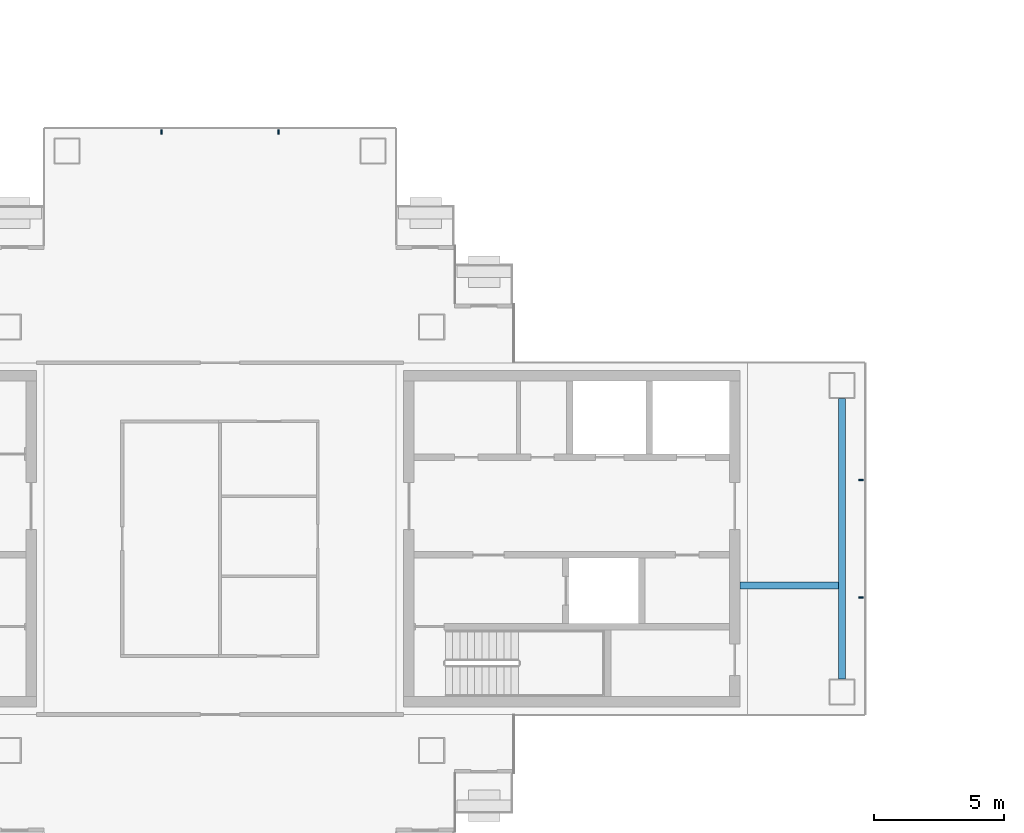
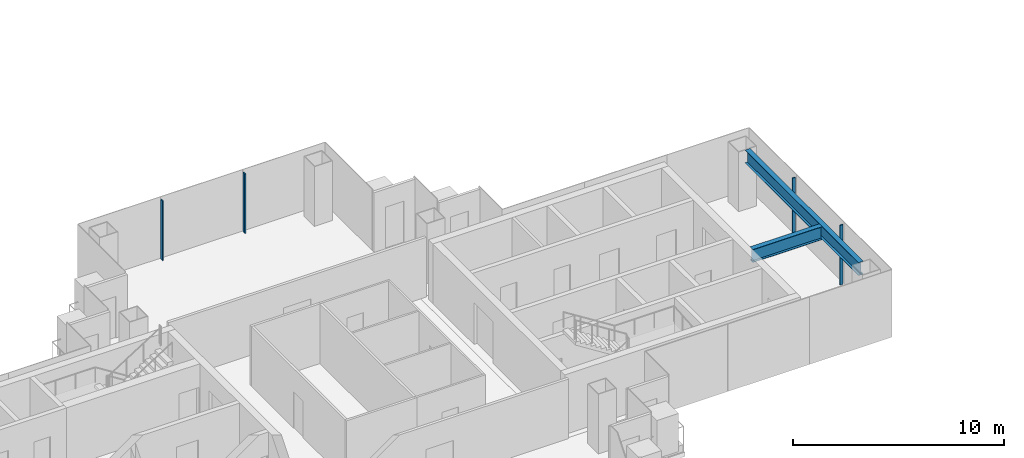
# One storey, part 4 of 17: 4 members, 2 beams, 2 elements without a shape of their own.
"""IFC4 building model written with IfcOpenShell, lengths in metres."""

from ifc_helpers import new_model, si_unit, direction, frame, origin, origin_2d, place, context, subcontext, project, spatial, rectangle, i_section, extrude, material, layer, layer_set, material_profile, profile_set, type_object, element, aggregate, save


model = new_model("IFC4")

# Units and contexts
model_context = context("Model", 3, precision=1e-05, world=origin(), true_north=direction((0.0, 1.0)))
body_context = subcontext(model_context, "Body", "Model", "MODEL_VIEW")
ifc_project = project(units=[si_unit("LENGTHUNIT", "METRE"), si_unit("AREAUNIT", "SQUARE_METRE"), si_unit("VOLUMEUNIT", "CUBIC_METRE"), si_unit("PLANEANGLEUNIT", "RADIAN"), si_unit("MASSUNIT", "GRAM", prefix="KILO")], contexts=[model_context])

# Site, building, storey
site_placement = place(None, origin())
site = spatial("IfcSite", under=ifc_project, at=site_placement, CompositionType="ELEMENT")
building_placement = place(site_placement, origin())
building = spatial("IfcBuilding", under=site, at=building_placement, Name="Shamsa Quay Exchange Towers", CompositionType="ELEMENT")
storey_placement = place(building_placement, frame((0.0, 0.0, 221.699951171875)))
storey = spatial("IfcBuildingStorey", under=building, at=storey_placement, Name="L53", CompositionType="ELEMENT", Elevation=221.699951171875)

# Curtain wall, members
ifc_material_1 = material(Name="Aluminium EN AW-6063 T6, black anodised", Category="aluminium")
ifc_layer = layer(ifc_material_1, 0.280029296875)
ifc_layer_set = layer_set([ifc_layer], Name="CW-1 UNITISED VISION GLASS")
curtain_wall_type = type_object("IfcCurtainWallType", Name="CW-1 UNITISED VISION GLASS", PredefinedType="NOTDEFINED", material=ifc_layer_set)
curtain_wall_1_placement = place(storey_placement, origin())
curtain_wall_1 = element("IfcCurtainWall", 1, at=curtain_wall_1_placement, inside=storey, type_object=curtain_wall_type, Name="CW1 T1-END-U+ L53", PredefinedType="NOTDEFINED")
ifc_material_profile_1 = material_profile(ifc_material_1, rectangle(XDim=0.179931640625, YDim=0.06005859375, at=origin_2d()), Name="MU60x180")
ifc_profile_set_1 = profile_set([ifc_material_profile_1], Name="Aluminium EN AW-6063 T6, black anodised")
member_type = type_object("IfcMemberType", Name="CW1 MULLION 60x180", PredefinedType="MULLION", material=ifc_profile_set_1)
member_1_placement = place(storey_placement, frame((-9.14990234375, -2.25, 0.0), z_axis=(0.0, 0.0, 1.0), x_axis=(-1.0, 0.0, 0.0)))
member_1 = element("IfcMember", 2, at=member_1_placement, type_object=member_type, Name="CW1 mullion", PredefinedType="MULLION", context=body_context, shape_type="SweptSolid", body=[
    extrude(rectangle(XDim=0.179931640625, YDim=0.06005859375, at=origin_2d()), origin(), (0.0, 0.0, 1.0), 3.449951171875),
])
member_2_placement = place(storey_placement, frame((-9.14990234375, 2.25, 0.0), z_axis=(0.0, 0.0, 1.0), x_axis=(-1.0, 0.0, 0.0)))
member_2 = element("IfcMember", 3, at=member_2_placement, type_object=member_type, Name="CW1 mullion", PredefinedType="MULLION", context=body_context, shape_type="SweptSolid", body=[
    extrude(rectangle(XDim=0.179931640625, YDim=0.06005859375, at=origin_2d()), origin(), (0.0, 0.0, 1.0), 3.449951171875),
])
aggregate(curtain_wall_1, [member_1, member_2])

curtain_wall_2_placement = place(storey_placement, origin())
curtain_wall_2 = element("IfcCurtainWall", 4, at=curtain_wall_2_placement, inside=storey, type_object=curtain_wall_type, Name="CW1 T1-END-V+ L53", PredefinedType="NOTDEFINED")
member_3_placement = place(storey_placement, frame((-31.5, 15.60009765625, 0.0), z_axis=(0.0, 0.0, 1.0), x_axis=(0.0, -1.0, 0.0)))
member_3 = element("IfcMember", 5, at=member_3_placement, type_object=member_type, Name="CW1 mullion", PredefinedType="MULLION", context=body_context, shape_type="SweptSolid", body=[
    extrude(rectangle(XDim=0.179931640625, YDim=0.06005859375, at=origin_2d()), origin(), (0.0, 0.0, 1.0), 3.449951171875),
])
member_4_placement = place(storey_placement, frame((-36.0, 15.60009765625, 0.0), z_axis=(0.0, 0.0, 1.0), x_axis=(0.0, -1.0, 0.0)))
member_4 = element("IfcMember", 6, at=member_4_placement, type_object=member_type, Name="CW1 mullion", PredefinedType="MULLION", context=body_context, shape_type="SweptSolid", body=[
    extrude(rectangle(XDim=0.179931640625, YDim=0.06005859375, at=origin_2d()), origin(), (0.0, 0.0, 1.0), 3.449951171875),
])
aggregate(curtain_wall_2, [member_3, member_4])

# Beams
ifc_material_2 = material(Name="Steel S355", Category="steel")
ifc_material_profile_2 = material_profile(ifc_material_2, i_section(OverallWidth=0.26611328125, OverallDepth=0.7578125, WebThickness=0.013916015625, FlangeThickness=0.019287109375, at=origin_2d()), Name="W30x108")
ifc_profile_set_2 = profile_set([ifc_material_profile_2], Name="Steel S355")
beam_type = type_object("IfcBeamType", Name="End-zone beam W30x108", PredefinedType="BEAM", material=ifc_profile_set_2)
beam_1_placement = place(storey_placement, frame((-9.875, -5.375, 3.0712890625), z_axis=(0.0, 1.0, 0.0), x_axis=(-1.0, 0.0, 0.0)))
element("IfcBeam", 7, at=beam_1_placement, inside=storey, type_object=beam_type, Name="End beam T1 U+ end zone L53", PredefinedType="BEAM", context=body_context, shape_type="SweptSolid", body=[
    extrude(i_section(OverallWidth=0.26611328125, OverallDepth=0.7578125, WebThickness=0.013916015625, FlangeThickness=0.019287109375, at=origin_2d()), origin(), (0.0, 0.0, 1.0), 10.75),
])
beam_2_placement = place(storey_placement, frame((-13.800048828125, -1.800048828125, 3.0712890625), z_axis=(1.0, 0.0, 0.0), x_axis=(0.0, 1.0, 0.0)))
element("IfcBeam", 8, at=beam_2_placement, inside=storey, type_object=beam_type, Name="Spine beam T1 U+ end zone L53", PredefinedType="BEAM", context=body_context, shape_type="SweptSolid", body=[
    extrude(i_section(OverallWidth=0.26611328125, OverallDepth=0.7578125, WebThickness=0.013916015625, FlangeThickness=0.019287109375, at=origin_2d()), origin(), (0.0, 0.0, 1.0), 3.7919921875),
])

save(model, "model.ifc")
